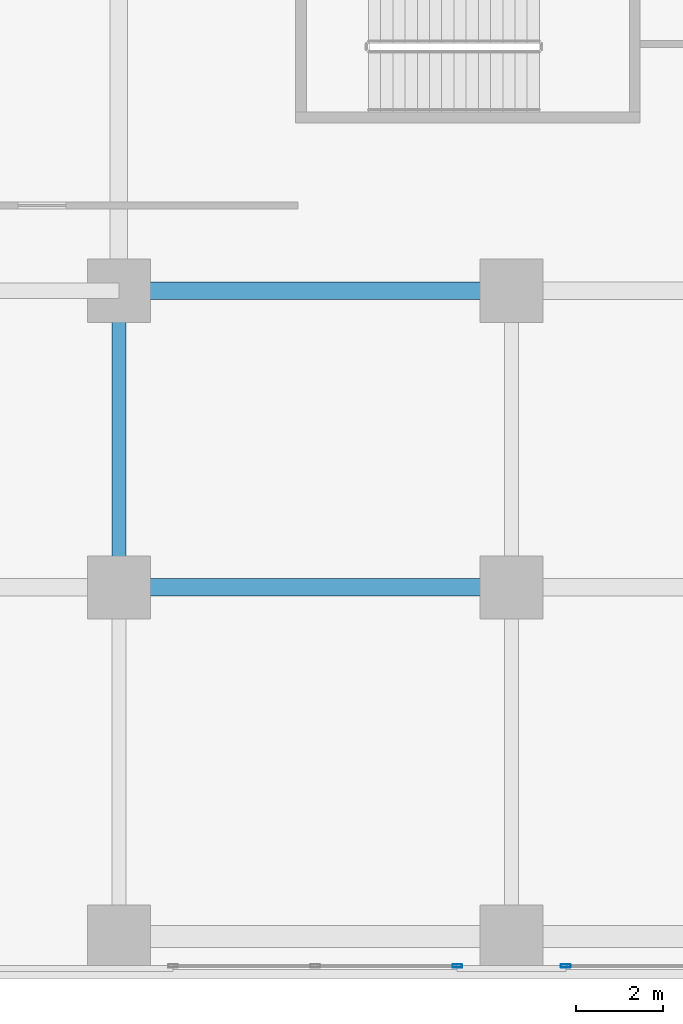
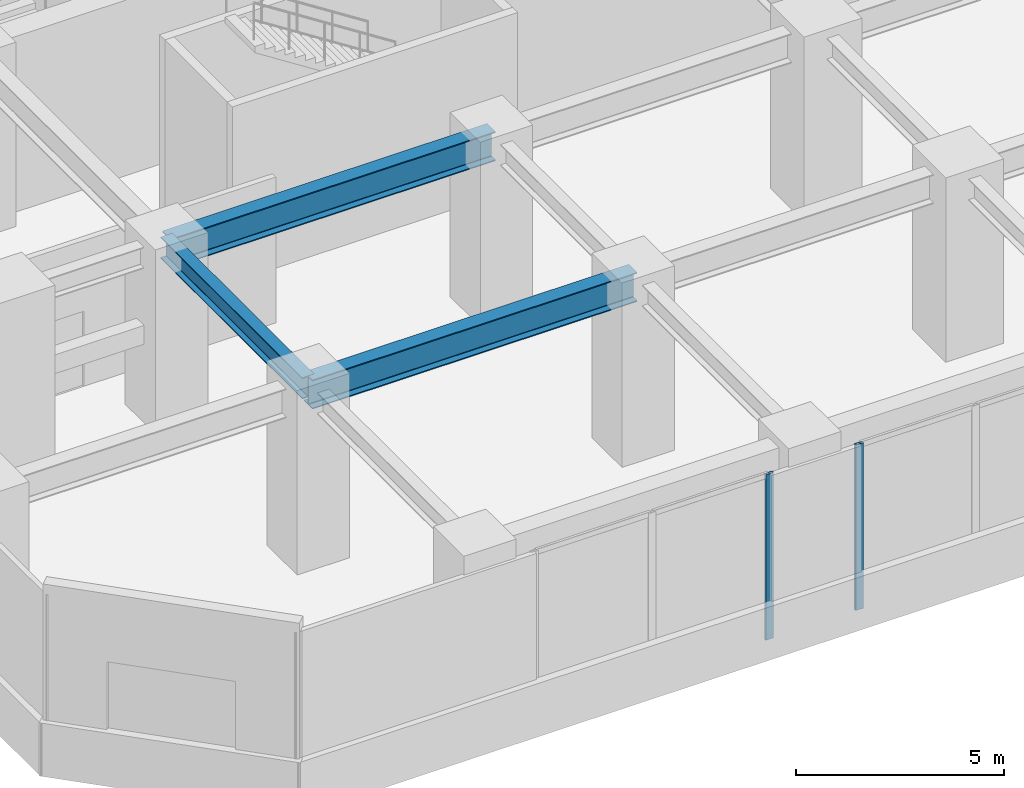
# One storey, part 4 of 33: 3 beams, 2 members, 2 elements without a shape of their own.
"""IFC4 building model written with IfcOpenShell, lengths in metres."""

import ifcopenshell
import ifcopenshell.guid

model = None  # the IFC model being written
_history = None  # IfcOwnerHistory: only IFC2X3 demands one
_inside = {}  # id of a spatial element -> (the spatial element, [elements in it])
_under = {}  # id of a project, library or spatial element -> (it, [spatial elements below it])
_declared = {}  # id of a project -> (the project, [libraries it declares])
_typed = {}  # id of a type object -> (the type object, [elements of that type])
_made_of = {}  # id of a material, layer set ... -> (it, [elements and type objects made of it])


def new_model(schema):
    """Start an empty IFC model of exactly this schema.

    Asked for "IFC4X3", IfcOpenShell would pick the latest addendum, in which some entities
    have other attributes; the version numbers below select the first issue.
    IFC2X3 requires an IfcOwnerHistory on every rooted entity: one is made here for all.
    """
    global model, _history
    if schema == "IFC4X3":
        model = ifcopenshell.file(schema_version=(4, 3, 0, 0))
    else:
        model = ifcopenshell.file(schema=schema)
    _inside.clear()
    _under.clear()
    _declared.clear()
    _typed.clear()
    _made_of.clear()
    _history = None
    if model.schema == "IFC2X3":
        org = make("IfcOrganization", Name="unknown")
        user = make(
            "IfcPersonAndOrganization",
            ThePerson=make("IfcPerson", FamilyName="unknown"),
            TheOrganization=org,
        )
        app = make(
            "IfcApplication",
            ApplicationDeveloper=org,
            Version="unknown",
            ApplicationFullName="unknown",
            ApplicationIdentifier="unknown",
        )
        _history = make(
            "IfcOwnerHistory",
            OwningUser=user,
            OwningApplication=app,
            ChangeAction="ADDED",
            CreationDate=0,
        )
    return model


def make(cls, **values):
    """One entity of the class cls with the attributes given. An attribute that is None is left unset."""
    return model.create_entity(
        cls, **{name: value for name, value in values.items() if value is not None}
    )


def rooted(cls, **values):
    """An entity with a GlobalId (a new one), such as an element, a storey or a relation."""
    return make(cls, GlobalId=ifcopenshell.guid.new(), OwnerHistory=_history, **values)


def si_unit(unit_type, name, prefix=None):
    """IfcSIUnit, for example si_unit("LENGTHUNIT", "METRE", prefix="MILLI")."""
    return make("IfcSIUnit", UnitType=unit_type, Prefix=prefix, Name=name)


def assignment(units):
    """IfcUnitAssignment: the units of a project."""
    return None if units is None else make("IfcUnitAssignment", Units=units)


def point(xyz):
    """IfcCartesianPoint."""
    return None if xyz is None else make("IfcCartesianPoint", Coordinates=xyz)


def direction(xyz):
    """IfcDirection."""
    return None if xyz is None else make("IfcDirection", DirectionRatios=xyz)


def frame(location, z_axis=None, x_axis=None):
    """IfcAxis2Placement3D, a coordinate frame: its origin and axes. An axis left out is left unset."""
    return make(
        "IfcAxis2Placement3D",
        Location=point(location),
        Axis=direction(z_axis),
        RefDirection=direction(x_axis),
    )


def frame_2d(location, x_axis=None):
    """IfcAxis2Placement2D, a coordinate frame in the plane: its origin and x axis."""
    return make(
        "IfcAxis2Placement2D", Location=point(location), RefDirection=direction(x_axis)
    )


def origin():
    """The frame at (0, 0, 0) with its axes left unset."""
    return frame((0.0, 0.0, 0.0))


def origin_2d():
    """The frame at (0, 0) in the plane with its x axis left unset."""
    return frame_2d((0.0, 0.0))


def place(relative_to, where):
    """IfcLocalPlacement: puts the frame where relative to a parent placement (None: the world)."""
    return make(
        "IfcLocalPlacement", PlacementRelTo=relative_to, RelativePlacement=where
    )


def context(
    kind, dimensions, precision=None, world=None, true_north=None, identifier=None
):
    """IfcGeometricRepresentationContext, for example the 3D "Model" context."""
    return make(
        "IfcGeometricRepresentationContext",
        ContextIdentifier=identifier,
        ContextType=kind,
        CoordinateSpaceDimension=dimensions,
        Precision=precision,
        WorldCoordinateSystem=world,
        TrueNorth=true_north,
    )


def subcontext(parent, identifier, kind, view, scale=None):
    """IfcGeometricRepresentationSubContext, for example "Body" below "Model"."""
    return make(
        "IfcGeometricRepresentationSubContext",
        ContextIdentifier=identifier,
        ContextType=kind,
        ParentContext=parent,
        TargetScale=scale,
        TargetView=view,
    )


def project(units=None, contexts=None):
    """IfcProject with its units and contexts."""
    return rooted(
        "IfcProject",
        Name="project",
        RepresentationContexts=contexts,
        UnitsInContext=assignment(units),
    )


def spatial(cls, under=None, at=None, **own):
    """A site, building, storey or space (cls), placed at a placement, below another one or the project."""
    s = rooted(cls, ObjectPlacement=at, **own)
    if under is not None:
        _under.setdefault(under.id(), (under, []))[1].append(s)
    return s


def profile(cls, at=None, kind="AREA", **sizes):
    """A parametric profile (cls). Its sizes go by their IFC names, for example OverallWidth=200.0."""
    return make(cls, ProfileType=kind, Position=at, **sizes)


def hollow_rectangle(**sizes):
    """IfcRectangleHollowProfileDef."""
    return profile("IfcRectangleHollowProfileDef", **sizes)


def i_section(**sizes):
    """IfcIShapeProfileDef."""
    return profile("IfcIShapeProfileDef", **sizes)


def extrude(swept, where, along, depth):
    """IfcExtrudedAreaSolid: the profile swept, set in the frame where, extruded along a direction by depth."""
    return make(
        "IfcExtrudedAreaSolid",
        SweptArea=swept,
        Position=where,
        ExtrudedDirection=direction(along),
        Depth=depth,
    )


def shape(context_of_items, identifier, shape_type, items):
    """IfcShapeRepresentation: the items that make up one representation, for example the "Body"."""
    return make(
        "IfcShapeRepresentation",
        ContextOfItems=context_of_items,
        RepresentationIdentifier=identifier,
        RepresentationType=shape_type,
        Items=items,
    )


def source(mapping_origin, context_of_items, identifier, shape_type, items):
    """IfcRepresentationMap: a shape defined once, which mapped items show again and again."""
    return make(
        "IfcRepresentationMap",
        MappingOrigin=mapping_origin,
        MappedRepresentation=shape(context_of_items, identifier, shape_type, items),
    )


def transform(
    local_origin,
    x_axis=None,
    y_axis=None,
    z_axis=None,
    scale=None,
    scale2=None,
    scale3=None,
    uniform=True,
):
    """IfcCartesianTransformationOperator3D, or its non-uniform kind. x_axis, y_axis, z_axis: its Axis1, 2, 3."""
    if uniform:
        return make(
            "IfcCartesianTransformationOperator3D",
            Axis1=direction(x_axis),
            Axis2=direction(y_axis),
            LocalOrigin=point(local_origin),
            Scale=scale,
            Axis3=direction(z_axis),
        )
    return make(
        "IfcCartesianTransformationOperator3DnonUniform",
        Axis1=direction(x_axis),
        Axis2=direction(y_axis),
        LocalOrigin=point(local_origin),
        Scale=scale,
        Axis3=direction(z_axis),
        Scale2=scale2,
        Scale3=scale3,
    )


def mapped(mapping_source, mapping_target):
    """IfcMappedItem: shows the shape of a source again, moved by a transform."""
    return make(
        "IfcMappedItem", MappingSource=mapping_source, MappingTarget=mapping_target
    )


def material(Name=None, Category=None):
    """IfcMaterial."""
    return make("IfcMaterial", Name=Name, Category=Category)


def material_profile(
    of_material, cross_section, Name=None, Category=None, Priority=None
):
    """IfcMaterialProfile: a cross section and its material."""
    return make(
        "IfcMaterialProfile",
        Name=Name,
        Material=of_material,
        Profile=cross_section,
        Priority=Priority,
        Category=Category,
    )


def profile_set(profiles, Name=None, composite=None):
    """IfcMaterialProfileSet."""
    return make(
        "IfcMaterialProfileSet",
        Name=Name,
        MaterialProfiles=profiles,
        CompositeProfile=composite,
    )


def made_of(thing, what):
    """Note that an element or type object is made of a material, layer set ...; save() writes the relation."""
    if what is not None:
        _made_of.setdefault(what.id(), (what, []))[1].append(thing)
    return thing


def type_object(cls, material=None, **own):
    """A type object (cls), such as IfcWallType, which elements share."""
    return made_of(rooted(cls, **own), material)


def element(
    cls,
    number,
    at=None,
    inside=None,
    cuts=None,
    type_object=None,
    material=None,
    context=None,
    identifier="Body",
    shape_type=None,
    held_by="IfcProductDefinitionShape",
    body=None,
    shapes=None,
    **own,
):
    """One element of the class cls, such as IfcWall. Its Tag is "e" and its number.

    at: its placement. inside: the storey or other place that contains it. cuts: it is an
    opening in that element (IfcRelVoidsElement). A single representation is given by context,
    identifier, shape_type and body (its items); several are given by shapes. held_by: the class
    of the entity that holds the representations. save() writes the other relations.
    """
    e = rooted(cls, Tag="e%d" % number, ObjectPlacement=at, **own)
    if body is not None:
        shapes = [shape(context, identifier, shape_type, body)]
    if shapes is not None:
        e.Representation = make(held_by, Representations=shapes)
    if inside is not None:
        _inside.setdefault(inside.id(), (inside, []))[1].append(e)
    if cuts is not None:
        rooted(
            "IfcRelVoidsElement", RelatingBuildingElement=cuts, RelatedOpeningElement=e
        )
    if type_object is not None:
        _typed.setdefault(type_object.id(), (type_object, []))[1].append(e)
    return made_of(e, material)


def aggregate(whole, parts):
    """IfcRelAggregates: a whole, such as a stair, and the parts it consists of."""
    return rooted("IfcRelAggregates", RelatingObject=whole, RelatedObjects=parts)


def save(model, path):
    """Write the relations noted so far, then the file.

    IfcRelAggregates (storeys below a building ...), IfcRelContainedInSpatialStructure (elements
    in a storey), IfcRelDefinesByType, IfcRelAssociatesMaterial and IfcRelDeclares: one each for
    every whole, place, type object, material and project.
    """
    for whole, parts in _under.values():
        aggregate(whole, parts)
    for where, things in _inside.values():
        rooted(
            "IfcRelContainedInSpatialStructure",
            RelatedElements=things,
            RelatingStructure=where,
        )
    for kind, things in _typed.values():
        rooted("IfcRelDefinesByType", RelatedObjects=things, RelatingType=kind)
    for what, things in _made_of.values():
        rooted("IfcRelAssociatesMaterial", RelatedObjects=things, RelatingMaterial=what)
    for by, libraries in _declared.values():
        rooted("IfcRelDeclares", RelatingContext=by, RelatedDefinitions=libraries)
    model.write(path)


model = new_model("IFC4")

# Units and contexts
model_context = context("Model", 3, precision=1e-05, world=origin(), true_north=direction((0.0, 1.0)))
body_context = subcontext(model_context, "Body", "Model", "MODEL_VIEW")
ifc_project = project(units=[si_unit("LENGTHUNIT", "METRE"), si_unit("AREAUNIT", "SQUARE_METRE"), si_unit("VOLUMEUNIT", "CUBIC_METRE"), si_unit("PLANEANGLEUNIT", "RADIAN"), si_unit("MASSUNIT", "GRAM", prefix="KILO")], contexts=[model_context])

# Site, building, storey
site_placement = place(None, origin())
site = spatial("IfcSite", under=ifc_project, at=site_placement, CompositionType="ELEMENT")
building_placement = place(site_placement, origin())
building = spatial("IfcBuilding", under=site, at=building_placement, Name="Torre Montelarca", CompositionType="ELEMENT")
storey_placement = place(building_placement, frame((0.0, 0.0, 12.0)))
storey = spatial("IfcBuildingStorey", under=building, at=storey_placement, Name="L03", CompositionType="ELEMENT", Elevation=12.0)

# Beams
ifc_material_1 = material(Name="Steel ASTM A992 Grade 50", Category="steel")
ifc_material_profile_1 = material_profile(ifc_material_1, i_section(OverallWidth=0.39990234375, OverallDepth=0.85498046875, WebThickness=0.018310546875, FlangeThickness=0.029296875, FilletRadius=0.02001953125, at=origin_2d()), Name="W840X299", Category="steel")
ifc_profile_set_1 = profile_set([ifc_material_profile_1], Name="Steel ASTM A992 Grade 50")
beam_type_1 = type_object("IfcBeamType", Name="BM-G-W840", PredefinedType="BEAM", material=ifc_profile_set_1)
shared_shape_1 = source(origin(), body_context, "Body", "SweptSolid", [
    extrude(i_section(OverallWidth=0.39990234375, OverallDepth=0.85498046875, WebThickness=0.018310546875, FlangeThickness=0.029296875, FilletRadius=0.02001953125, at=origin_2d()), origin(), (0.0, 0.0, 1.0), 9.0),
])
for number, where, z_axis, x_axis, name in (
    (1, (9.0, 8.0, 4.7119140625), (1.0, 0.0, 0.0), (0.0, 1.0, 0.0), "L03 Grid Girder X 9.0-18.0 at Y=8.0"),
    (2, (9.0, 14.800048828125, 4.7119140625), (1.0, 0.0, 0.0), (0.0, 1.0, 0.0), "L03 Grid Girder X 9.0-18.0 at Y=14.8"),
):
    element("IfcBeam", number, at=place(storey_placement, frame(where, z_axis=z_axis, x_axis=x_axis)), inside=storey, type_object=beam_type_1, Name=name, PredefinedType="BEAM", context=body_context, shape_type="MappedRepresentation", body=[
        mapped(shared_shape_1, transform((0.0, 0.0, 0.0), scale=1.0)),
    ])
ifc_material_profile_2 = material_profile(ifc_material_1, i_section(OverallWidth=0.326904296875, OverallDepth=0.6220703125, WebThickness=0.015380859375, FlangeThickness=0.0244140625, FilletRadius=0.014892578125, at=origin_2d()), Name="W610X195", Category="steel")
ifc_profile_set_2 = profile_set([ifc_material_profile_2], Name="Steel ASTM A992 Grade 50")
beam_type_2 = type_object("IfcBeamType", Name="BM-G-W610H", PredefinedType="BEAM", material=ifc_profile_set_2)
shared_shape_2 = source(origin(), body_context, "Body", "SweptSolid", [
    extrude(i_section(OverallWidth=0.326904296875, OverallDepth=0.6220703125, WebThickness=0.015380859375, FlangeThickness=0.0244140625, FilletRadius=0.014892578125, at=origin_2d()), origin(), (0.0, 0.0, 1.0), 6.800048828125),
])
beam_placement = place(storey_placement, frame((9.0, 8.0, 4.8291015625), z_axis=(0.0, 1.0, 0.0), x_axis=(-1.0, 0.0, 0.0)))
element("IfcBeam", 3, at=beam_placement, inside=storey, type_object=beam_type_2, Name="L03 Grid Girder Y 8.0-14.8 at X=9.0", PredefinedType="BEAM", context=body_context, shape_type="MappedRepresentation", body=[
    mapped(shared_shape_2, transform((0.0, 0.0, 0.0), scale=1.0)),
])

# Curtain wall, member
ifc_material_2 = material(Name="Insulated low-E laminated glass", Category="glass")
curtain_wall_type = type_object("IfcCurtainWallType", Name="CW-SYS-POD2", PredefinedType="USERDEFINED", material=ifc_material_2)
curtain_wall_1_placement = place(storey_placement, origin())
curtain_wall_1 = element("IfcCurtainWall", 4, at=curtain_wall_1_placement, inside=storey, type_object=curtain_wall_type, Name="L03 Curtain Wall Run CW-T3-L03-E01-B1", ObjectType="UNITISED GLAZING", PredefinedType="USERDEFINED")
ifc_material_3 = material(Name="Anodised aluminium AA 6063-T6", Category="aluminium")
ifc_material_profile_3 = material_profile(ifc_material_3, hollow_rectangle(XDim=0.074951171875, YDim=0.219970703125, WallThickness=0.0048828125, InnerFilletRadius=0.0048828125, OuterFilletRadius=0.010009765625, at=origin_2d()), Name="ALU75X220X5", Category="aluminium")
ifc_profile_set_3 = profile_set([ifc_material_profile_3], Name="Anodised aluminium AA 6063-T6")
member_type = type_object("IfcMemberType", Name="CWM-ALU220", PredefinedType="MULLION", material=ifc_profile_set_3)
shared_shape_3 = source(origin(), body_context, "Body", "SweptSolid", [
    extrude(hollow_rectangle(XDim=0.074951171875, YDim=0.219970703125, WallThickness=0.0048828125, InnerFilletRadius=0.0048828125, OuterFilletRadius=0.010009765625, at=origin_2d()), origin(), (0.0, 0.0, 1.0), 4.85009765625),
])
member_1_placement = place(storey_placement, frame((16.757568359375, -0.679931640625, 0.0), z_axis=(0.0, 0.0, 1.0), x_axis=(0.0, 1.0, 0.0)))
member_1 = element("IfcMember", 5, at=member_1_placement, type_object=member_type, Name="CW mullion 3", PredefinedType="MULLION", context=body_context, shape_type="MappedRepresentation", body=[
    mapped(shared_shape_3, transform((0.0, 0.0, 0.0), scale=1.0)),
])
aggregate(curtain_wall_1, [member_1])

curtain_wall_2_placement = place(storey_placement, origin())
curtain_wall_2 = element("IfcCurtainWall", 6, at=curtain_wall_2_placement, inside=storey, type_object=curtain_wall_type, Name="L03 Curtain Wall Run CW-T3-L03-E01-B2", ObjectType="UNITISED GLAZING", PredefinedType="USERDEFINED")
member_2_placement = place(storey_placement, frame((19.242431640625, -0.679931640625, 0.0), z_axis=(0.0, 0.0, 1.0), x_axis=(0.0, 1.0, 0.0)))
member_2 = element("IfcMember", 7, at=member_2_placement, type_object=member_type, Name="CW mullion 1", PredefinedType="MULLION", context=body_context, shape_type="MappedRepresentation", body=[
    mapped(shared_shape_3, transform((0.0, 0.0, 0.0), scale=1.0)),
])
aggregate(curtain_wall_2, [member_2])

save(model, "model.ifc")
